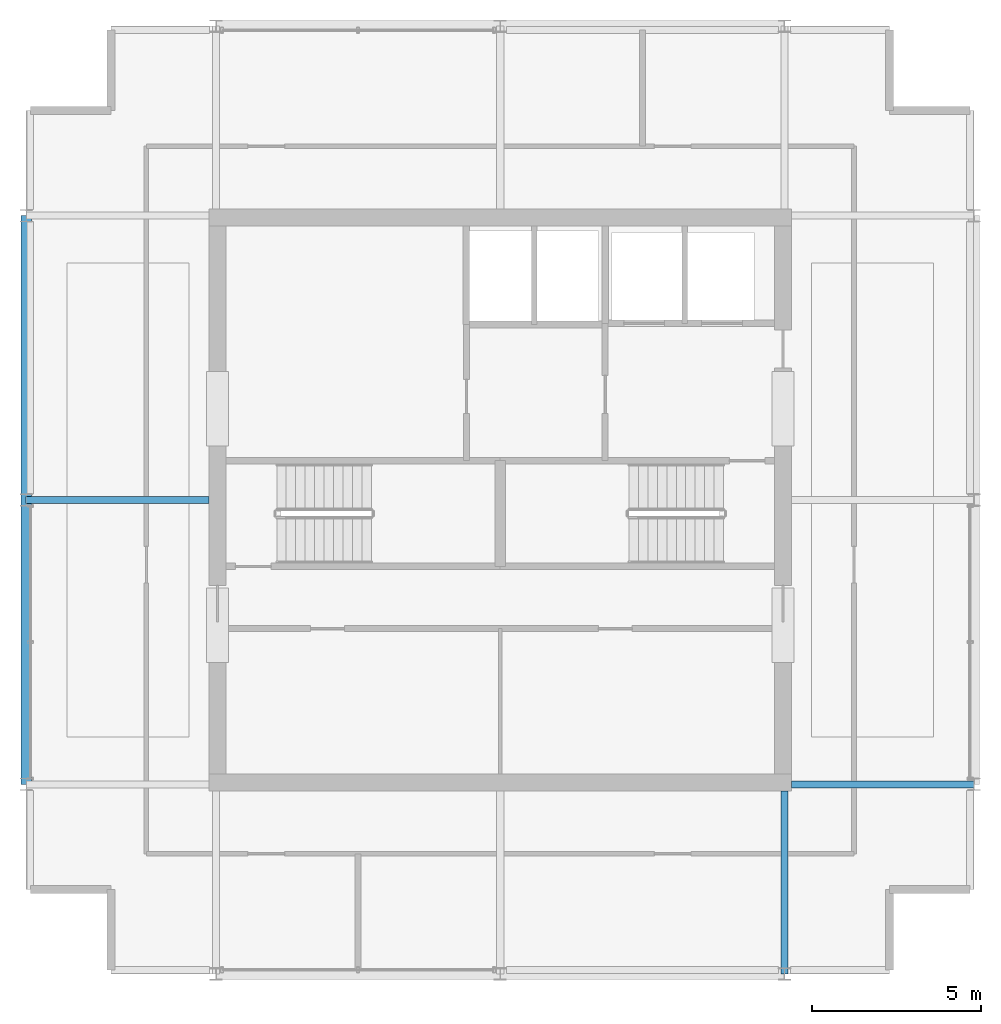
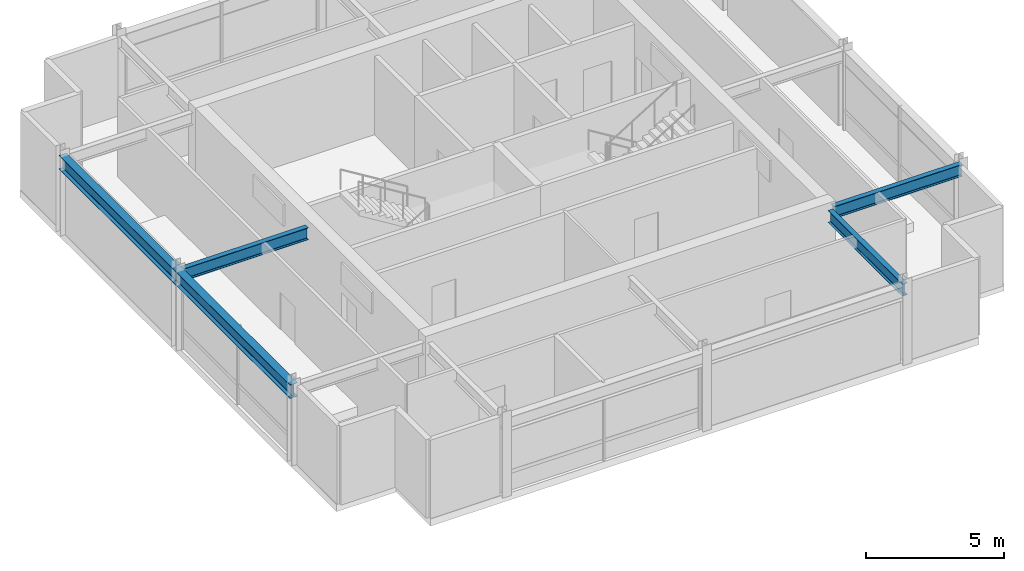
# One storey, part 5 of 12: 4 beams.
"""IFC4 building model written with IfcOpenShell, lengths in metres."""

from ifc_helpers import new_model, si_unit, direction, frame, origin, origin_2d, place, context, subcontext, project, spatial, i_section, extrude, material, material_profile, profile_set, type_object, element, save


model = new_model("IFC4")

# Units and contexts
model_context = context("Model", 3, precision=1e-05, world=origin(), true_north=direction((0.0, 1.0)))
body_context = subcontext(model_context, "Body", "Model", "MODEL_VIEW")
ifc_project = project(units=[si_unit("LENGTHUNIT", "METRE"), si_unit("AREAUNIT", "SQUARE_METRE"), si_unit("VOLUMEUNIT", "CUBIC_METRE"), si_unit("PLANEANGLEUNIT", "RADIAN"), si_unit("MASSUNIT", "GRAM", prefix="KILO")], contexts=[model_context])

# Site, building, storey
site_placement = place(None, origin())
site = spatial("IfcSite", under=ifc_project, at=site_placement, CompositionType="ELEMENT")
building_placement = place(site_placement, origin())
building = spatial("IfcBuilding", under=site, at=building_placement, Name="Drelvath Grand Hotel", CompositionType="ELEMENT")
storey_placement = place(building_placement, frame((0.0, 0.0, 319.39990234375)))
storey = spatial("IfcBuildingStorey", under=building, at=storey_placement, Name="L83", CompositionType="ELEMENT", Elevation=319.39990234375)

# Beams
ifc_material = material(Name="Steel ASTM A992 Gr 50", Category="steel")
ifc_material_profile_1 = material_profile(ifc_material, i_section(OverallWidth=0.210205078125, OverallDepth=0.53662109375, WebThickness=0.010986328125, FlangeThickness=0.017333984375, FilletRadius=0.01806640625, at=origin_2d()), Name="W21X68")
ifc_profile_set_1 = profile_set([ifc_material_profile_1], Name="Steel ASTM A992 Gr 50")
beam_type_1 = type_object("IfcBeamType", Name="Primary Floor Girder W21X68", PredefinedType="BEAM", material=ifc_profile_set_1)
for number, where, z_axis, x_axis, name in (
    (1, (8.60009765625, 18.60009765625, 3.211669921875), (1.0, 0.0, 0.0), (0.0, 1.0, 0.0), "L83 Crown Drum Tie East D"),
    (2, (-14.0, 27.0, 3.211669921875), (1.0, 0.0, 0.0), (0.0, 1.0, 0.0), "L83 Crown Drum Tie West E"),
    (3, (8.39990234375, 13.0, 3.211669921875), (0.0, 1.0, 0.0), (-1.0, 0.0, 0.0), "L83 Crown Drum Tie South 6"),
):
    element("IfcBeam", number, at=place(storey_placement, frame(where, z_axis=z_axis, x_axis=x_axis)), inside=storey, type_object=beam_type_1, Name=name, PredefinedType="BEAM", context=body_context, shape_type="SweptSolid", body=[
        extrude(i_section(OverallWidth=0.210205078125, OverallDepth=0.53662109375, WebThickness=0.010986328125, FlangeThickness=0.017333984375, FilletRadius=0.01806640625, at=origin_2d()), origin(), (0.0, 0.0, 1.0), 5.39990234375),
    ])
ifc_material_profile_2 = material_profile(ifc_material, i_section(OverallWidth=0.323974609375, OverallDepth=0.611083984375, WebThickness=0.0126953125, FlangeThickness=0.01904296875, FilletRadius=0.02197265625, at=origin_2d()), Name="W24X104")
ifc_profile_set_2 = profile_set([ifc_material_profile_2], Name="Steel ASTM A992 Gr 50")
beam_type_2 = type_object("IfcBeamType", Name="Primary Floor Girder W24X104", PredefinedType="BEAM", material=ifc_profile_set_2)
beam_placement = place(storey_placement, frame((-14.0, 18.60009765625, 3.174560546875), z_axis=(0.0, 1.0, 0.0), x_axis=(-1.0, 0.0, 0.0)))
element("IfcBeam", 4, at=beam_placement, inside=storey, type_object=beam_type_2, Name="L83 Crown Drum Ring Beam West", PredefinedType="BEAM", context=body_context, shape_type="SweptSolid", body=[
    extrude(i_section(OverallWidth=0.323974609375, OverallDepth=0.611083984375, WebThickness=0.0126953125, FlangeThickness=0.01904296875, FilletRadius=0.02197265625, at=origin_2d()), origin(), (0.0, 0.0, 1.0), 16.7998046875),
])

save(model, "model.ifc")
